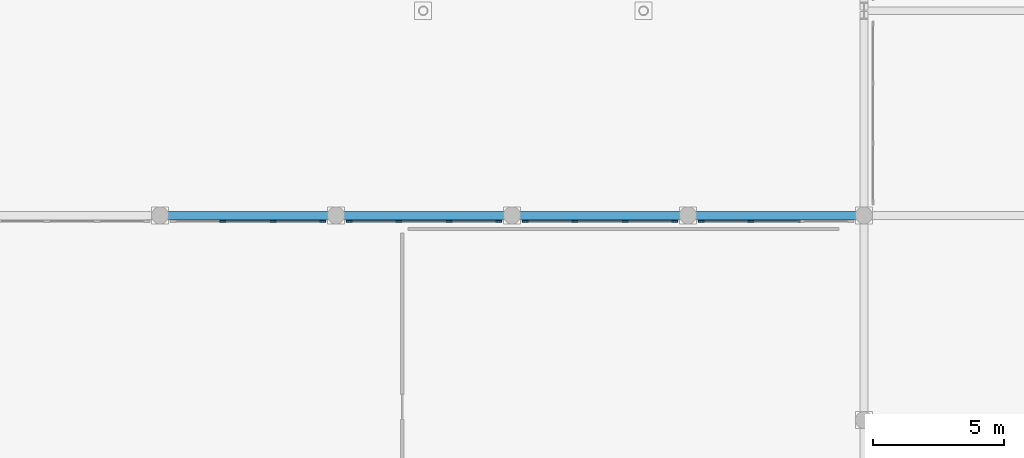
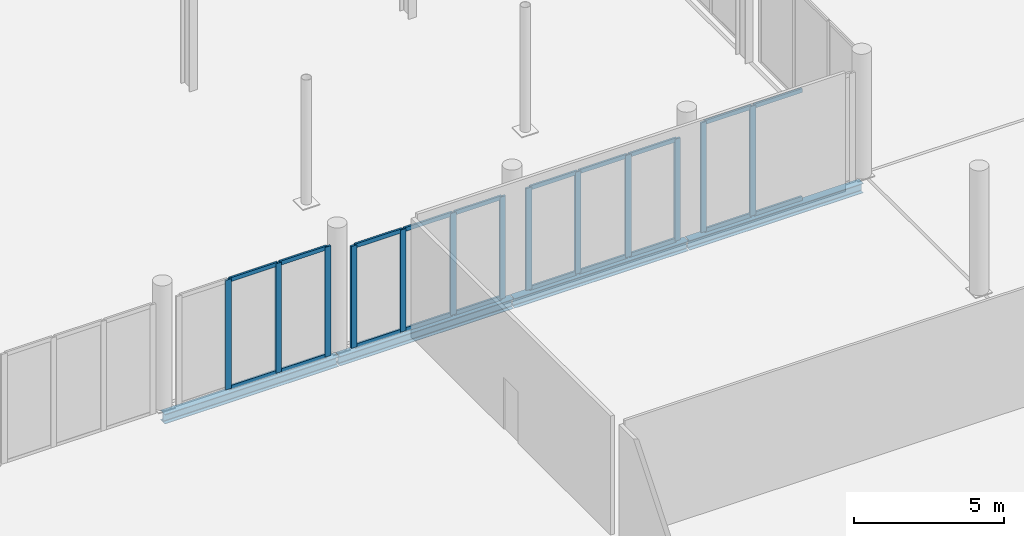
# One storey, part 25 of 80: 33 members, 4 beams, 4 elements without a shape of their own.
"""IFC4 building model written with IfcOpenShell, lengths in metres."""

from ifc_helpers import new_model, si_unit, direction, frame, origin, origin_2d, place, context, subcontext, project, spatial, rectangle, i_section, extrude, material, material_profile, profile_set, type_object, element, aggregate, save


model = new_model("IFC4")

# Units and contexts
model_context = context("Model", 3, precision=1e-05, world=origin(), true_north=direction((0.0, 1.0)))
body_context = subcontext(model_context, "Body", "Model", "MODEL_VIEW")
ifc_project = project(units=[si_unit("LENGTHUNIT", "METRE"), si_unit("AREAUNIT", "SQUARE_METRE"), si_unit("VOLUMEUNIT", "CUBIC_METRE"), si_unit("PLANEANGLEUNIT", "RADIAN"), si_unit("MASSUNIT", "GRAM", prefix="KILO")], contexts=[model_context])

# Site, building, storey
site_placement = place(None, origin())
site = spatial("IfcSite", under=ifc_project, at=site_placement, CompositionType="ELEMENT")
building_placement = place(site_placement, origin())
building = spatial("IfcBuilding", under=site, at=building_placement, Name="Nabrawat Pavilion Hospital", CompositionType="ELEMENT")
storey_placement = place(building_placement, origin())
storey = spatial("IfcBuildingStorey", under=building, at=storey_placement, Name="L00", CompositionType="ELEMENT", Elevation=0.0)

# Curtain wall, members
ifc_material_1 = material(Name="Anodised Aluminium", Category="aluminium")
curtain_wall_type = type_object("IfcCurtainWallType", Name="Main Hall Pavilion Unitised Curtain Wall", PredefinedType="USERDEFINED", material=ifc_material_1)
curtain_wall_1_placement = place(storey_placement, origin())
curtain_wall_1 = element("IfcCurtainWall", 1, at=curtain_wall_1_placement, inside=storey, type_object=curtain_wall_type, Name="L00 Main Hall Pavilion Unitised Curtain Wall 013", ObjectType="CURTAIN WALL", PredefinedType="USERDEFINED")
ifc_material_profile_1 = material_profile(ifc_material_1, rectangle(XDim=0.074951171875, YDim=0.219970703125, at=origin_2d()), Name="CWM 75x220")
ifc_profile_set_1 = profile_set([ifc_material_profile_1], Name="Anodised Aluminium")
member_type_1 = type_object("IfcMemberType", Name="Main Hall Pavilion Unitised Curtain Wall Mullion CWM 75x220", PredefinedType="MULLION", material=ifc_profile_set_1)
member_1_placement = place(storey_placement, frame((101.55908203125, 38.780029296875, 0.0), z_axis=(0.0, 0.0, 1.0), x_axis=(0.0, 1.0, 0.0)))
member_1 = element("IfcMember", 2, at=member_1_placement, type_object=member_type_1, Name="CW-MH-01 mullion 2", PredefinedType="MULLION", context=body_context, shape_type="SweptSolid", body=[
    extrude(rectangle(XDim=0.074951171875, YDim=0.219970703125, at=origin_2d()), origin(), (0.0, 0.0, 1.0), 4.449951171875),
])
member_2_placement = place(storey_placement, frame((103.485107421875, 38.780029296875, 0.0), z_axis=(0.0, 0.0, 1.0), x_axis=(0.0, 1.0, 0.0)))
member_2 = element("IfcMember", 3, at=member_2_placement, type_object=member_type_1, Name="CW-MH-01 mullion 3", PredefinedType="MULLION", context=body_context, shape_type="SweptSolid", body=[
    extrude(rectangle(XDim=0.074951171875, YDim=0.219970703125, at=origin_2d()), origin(), (0.0, 0.0, 1.0), 4.449951171875),
])
member_3_placement = place(storey_placement, frame((105.37353515625, 38.780029296875, 0.0), z_axis=(0.0, 0.0, 1.0), x_axis=(0.0, 1.0, 0.0)))
member_3 = element("IfcMember", 4, at=member_3_placement, type_object=member_type_1, Name="CW-MH-01 mullion 4", PredefinedType="MULLION", context=body_context, shape_type="SweptSolid", body=[
    extrude(rectangle(XDim=0.074951171875, YDim=0.219970703125, at=origin_2d()), origin(), (0.0, 0.0, 1.0), 4.449951171875),
])

curtain_wall_2_placement = place(storey_placement, origin())
curtain_wall_2 = element("IfcCurtainWall", 5, at=curtain_wall_2_placement, inside=storey, type_object=curtain_wall_type, Name="L00 Main Hall Pavilion Unitised Curtain Wall 014", ObjectType="CURTAIN WALL", PredefinedType="USERDEFINED")
member_4_placement = place(storey_placement, frame((106.37841796875, 38.780029296875, 0.0), z_axis=(0.0, 0.0, 1.0), x_axis=(0.0, 1.0, 0.0)))
member_4 = element("IfcMember", 6, at=member_4_placement, type_object=member_type_1, Name="CW-MH-01 mullion 1", PredefinedType="MULLION", context=body_context, shape_type="SweptSolid", body=[
    extrude(rectangle(XDim=0.074951171875, YDim=0.219970703125, at=origin_2d()), origin(), (0.0, 0.0, 1.0), 4.139892578125),
])
member_5_placement = place(storey_placement, frame((108.26708984375, 38.780029296875, 0.0), z_axis=(0.0, 0.0, 1.0), x_axis=(0.0, 1.0, 0.0)))
member_5 = element("IfcMember", 7, at=member_5_placement, type_object=member_type_1, Name="CW-MH-01 mullion 2", PredefinedType="MULLION", context=body_context, shape_type="SweptSolid", body=[
    extrude(rectangle(XDim=0.074951171875, YDim=0.219970703125, at=origin_2d()), origin(), (0.0, 0.0, 1.0), 4.139892578125),
])
member_6_placement = place(storey_placement, frame((110.193115234375, 38.780029296875, 0.0), z_axis=(0.0, 0.0, 1.0), x_axis=(0.0, 1.0, 0.0)))
member_6 = element("IfcMember", 8, at=member_6_placement, type_object=member_type_1, Name="CW-MH-01 mullion 3", PredefinedType="MULLION", context=body_context, shape_type="SweptSolid", body=[
    extrude(rectangle(XDim=0.074951171875, YDim=0.219970703125, at=origin_2d()), origin(), (0.0, 0.0, 1.0), 4.139892578125),
])
member_7_placement = place(storey_placement, frame((112.08154296875, 38.780029296875, 0.0), z_axis=(0.0, 0.0, 1.0), x_axis=(0.0, 1.0, 0.0)))
member_7 = element("IfcMember", 9, at=member_7_placement, type_object=member_type_1, Name="CW-MH-01 mullion 4", PredefinedType="MULLION", context=body_context, shape_type="SweptSolid", body=[
    extrude(rectangle(XDim=0.074951171875, YDim=0.219970703125, at=origin_2d()), origin(), (0.0, 0.0, 1.0), 4.139892578125),
])

curtain_wall_3_placement = place(storey_placement, origin())
curtain_wall_3 = element("IfcCurtainWall", 10, at=curtain_wall_3_placement, inside=storey, type_object=curtain_wall_type, Name="L00 Main Hall Pavilion Unitised Curtain Wall 015", ObjectType="CURTAIN WALL", PredefinedType="USERDEFINED")
member_8_placement = place(storey_placement, frame((113.08642578125, 38.780029296875, 0.0), z_axis=(0.0, 0.0, 1.0), x_axis=(0.0, 1.0, 0.0)))
member_8 = element("IfcMember", 11, at=member_8_placement, type_object=member_type_1, Name="CW-MH-01 mullion 1", PredefinedType="MULLION", context=body_context, shape_type="SweptSolid", body=[
    extrude(rectangle(XDim=0.074951171875, YDim=0.219970703125, at=origin_2d()), origin(), (0.0, 0.0, 1.0), 4.139892578125),
])
member_9_placement = place(storey_placement, frame((114.97509765625, 38.780029296875, 0.0), z_axis=(0.0, 0.0, 1.0), x_axis=(0.0, 1.0, 0.0)))
member_9 = element("IfcMember", 12, at=member_9_placement, type_object=member_type_1, Name="CW-MH-01 mullion 2", PredefinedType="MULLION", context=body_context, shape_type="SweptSolid", body=[
    extrude(rectangle(XDim=0.074951171875, YDim=0.219970703125, at=origin_2d()), origin(), (0.0, 0.0, 1.0), 4.139892578125),
])
member_10_placement = place(storey_placement, frame((116.90087890625, 38.780029296875, 0.0), z_axis=(0.0, 0.0, 1.0), x_axis=(0.0, 1.0, 0.0)))
member_10 = element("IfcMember", 13, at=member_10_placement, type_object=member_type_1, Name="CW-MH-01 mullion 3", PredefinedType="MULLION", context=body_context, shape_type="SweptSolid", body=[
    extrude(rectangle(XDim=0.074951171875, YDim=0.219970703125, at=origin_2d()), origin(), (0.0, 0.0, 1.0), 4.139892578125),
])
member_11_placement = place(storey_placement, frame((118.78955078125, 38.780029296875, 0.0), z_axis=(0.0, 0.0, 1.0), x_axis=(0.0, 1.0, 0.0)))
member_11 = element("IfcMember", 14, at=member_11_placement, type_object=member_type_1, Name="CW-MH-01 mullion 4", PredefinedType="MULLION", context=body_context, shape_type="SweptSolid", body=[
    extrude(rectangle(XDim=0.074951171875, YDim=0.219970703125, at=origin_2d()), origin(), (0.0, 0.0, 1.0), 4.139892578125),
])

curtain_wall_4_placement = place(storey_placement, origin())
curtain_wall_4 = element("IfcCurtainWall", 15, at=curtain_wall_4_placement, inside=storey, type_object=curtain_wall_type, Name="L00 Main Hall Pavilion Unitised Curtain Wall 016", ObjectType="CURTAIN WALL", PredefinedType="USERDEFINED")
member_12_placement = place(storey_placement, frame((119.79443359375, 38.780029296875, 0.0), z_axis=(0.0, 0.0, 1.0), x_axis=(0.0, 1.0, 0.0)))
member_12 = element("IfcMember", 16, at=member_12_placement, type_object=member_type_1, Name="CW-MH-01 mullion 1", PredefinedType="MULLION", context=body_context, shape_type="SweptSolid", body=[
    extrude(rectangle(XDim=0.074951171875, YDim=0.219970703125, at=origin_2d()), origin(), (0.0, 0.0, 1.0), 4.449951171875),
])
member_13_placement = place(storey_placement, frame((121.68310546875, 38.780029296875, 0.0), z_axis=(0.0, 0.0, 1.0), x_axis=(0.0, 1.0, 0.0)))
member_13 = element("IfcMember", 17, at=member_13_placement, type_object=member_type_1, Name="CW-MH-01 mullion 2", PredefinedType="MULLION", context=body_context, shape_type="SweptSolid", body=[
    extrude(rectangle(XDim=0.074951171875, YDim=0.219970703125, at=origin_2d()), origin(), (0.0, 0.0, 1.0), 4.449951171875),
])

# Member
ifc_material_profile_2 = material_profile(ifc_material_1, rectangle(XDim=0.074951171875, YDim=0.1650390625, at=origin_2d()), Name="CWT 75x165")
ifc_profile_set_2 = profile_set([ifc_material_profile_2], Name="Anodised Aluminium")
member_type_2 = type_object("IfcMemberType", Name="Main Hall Pavilion Unitised Curtain Wall Transom CWT 75x165", PredefinedType="USERDEFINED", material=ifc_profile_set_2)
member_14_placement = place(storey_placement, frame((101.596435546875, 38.780029296875, 0.03759765625), z_axis=(1.0, 0.0, 0.0), x_axis=(0.0, 1.0, 0.0)))
member_14 = element("IfcMember", 18, at=member_14_placement, type_object=member_type_2, Name="CW-MH-01 transom 2.1", ObjectType="TRANSOM", PredefinedType="USERDEFINED", context=body_context, shape_type="SweptSolid", body=[
    extrude(rectangle(XDim=0.074951171875, YDim=0.1650390625, at=origin_2d()), origin(), (0.0, 0.0, 1.0), 1.85107421875),
])

member_15_placement = place(storey_placement, frame((101.596435546875, 38.780029296875, 4.41259765625), z_axis=(1.0, 0.0, 0.0), x_axis=(0.0, 1.0, 0.0)))
member_15 = element("IfcMember", 19, at=member_15_placement, type_object=member_type_2, Name="CW-MH-01 transom 2.2", ObjectType="TRANSOM", PredefinedType="USERDEFINED", context=body_context, shape_type="SweptSolid", body=[
    extrude(rectangle(XDim=0.074951171875, YDim=0.1650390625, at=origin_2d()), origin(), (0.0, 0.0, 1.0), 1.85107421875),
])

member_16_placement = place(storey_placement, frame((103.5224609375, 38.780029296875, 0.03759765625), z_axis=(1.0, 0.0, 0.0), x_axis=(0.0, 1.0, 0.0)))
member_16 = element("IfcMember", 20, at=member_16_placement, type_object=member_type_2, Name="CW-MH-01 transom 3.1", ObjectType="TRANSOM", PredefinedType="USERDEFINED", context=body_context, shape_type="SweptSolid", body=[
    extrude(rectangle(XDim=0.074951171875, YDim=0.1650390625, at=origin_2d()), origin(), (0.0, 0.0, 1.0), 1.8134765625),
])

member_17_placement = place(storey_placement, frame((103.5224609375, 38.780029296875, 4.41259765625), z_axis=(1.0, 0.0, 0.0), x_axis=(0.0, 1.0, 0.0)))
member_17 = element("IfcMember", 21, at=member_17_placement, type_object=member_type_2, Name="CW-MH-01 transom 3.2", ObjectType="TRANSOM", PredefinedType="USERDEFINED", context=body_context, shape_type="SweptSolid", body=[
    extrude(rectangle(XDim=0.074951171875, YDim=0.1650390625, at=origin_2d()), origin(), (0.0, 0.0, 1.0), 1.8134765625),
])

aggregate(curtain_wall_1, [member_1, member_2, member_3, member_14, member_15, member_16, member_17])

member_18_placement = place(storey_placement, frame((106.416015625, 38.780029296875, 0.03759765625), z_axis=(1.0, 0.0, 0.0), x_axis=(0.0, 1.0, 0.0)))
member_18 = element("IfcMember", 22, at=member_18_placement, type_object=member_type_2, Name="CW-MH-01 transom 1.1", ObjectType="TRANSOM", PredefinedType="USERDEFINED", context=body_context, shape_type="SweptSolid", body=[
    extrude(rectangle(XDim=0.074951171875, YDim=0.1650390625, at=origin_2d()), origin(), (0.0, 0.0, 1.0), 1.8134765625),
])

member_19_placement = place(storey_placement, frame((106.416015625, 38.780029296875, 4.1025390625), z_axis=(1.0, 0.0, 0.0), x_axis=(0.0, 1.0, 0.0)))
member_19 = element("IfcMember", 23, at=member_19_placement, type_object=member_type_2, Name="CW-MH-01 transom 1.2", ObjectType="TRANSOM", PredefinedType="USERDEFINED", context=body_context, shape_type="SweptSolid", body=[
    extrude(rectangle(XDim=0.074951171875, YDim=0.1650390625, at=origin_2d()), origin(), (0.0, 0.0, 1.0), 1.8134765625),
])

member_20_placement = place(storey_placement, frame((108.304443359375, 38.780029296875, 0.03759765625), z_axis=(1.0, 0.0, 0.0), x_axis=(0.0, 1.0, 0.0)))
member_20 = element("IfcMember", 24, at=member_20_placement, type_object=member_type_2, Name="CW-MH-01 transom 2.1", ObjectType="TRANSOM", PredefinedType="USERDEFINED", context=body_context, shape_type="SweptSolid", body=[
    extrude(rectangle(XDim=0.074951171875, YDim=0.1650390625, at=origin_2d()), origin(), (0.0, 0.0, 1.0), 1.85107421875),
])

member_21_placement = place(storey_placement, frame((108.304443359375, 38.780029296875, 4.1025390625), z_axis=(1.0, 0.0, 0.0), x_axis=(0.0, 1.0, 0.0)))
member_21 = element("IfcMember", 25, at=member_21_placement, type_object=member_type_2, Name="CW-MH-01 transom 2.2", ObjectType="TRANSOM", PredefinedType="USERDEFINED", context=body_context, shape_type="SweptSolid", body=[
    extrude(rectangle(XDim=0.074951171875, YDim=0.1650390625, at=origin_2d()), origin(), (0.0, 0.0, 1.0), 1.85107421875),
])

member_22_placement = place(storey_placement, frame((110.23046875, 38.780029296875, 0.03759765625), z_axis=(1.0, 0.0, 0.0), x_axis=(0.0, 1.0, 0.0)))
member_22 = element("IfcMember", 26, at=member_22_placement, type_object=member_type_2, Name="CW-MH-01 transom 3.1", ObjectType="TRANSOM", PredefinedType="USERDEFINED", context=body_context, shape_type="SweptSolid", body=[
    extrude(rectangle(XDim=0.074951171875, YDim=0.1650390625, at=origin_2d()), origin(), (0.0, 0.0, 1.0), 1.8134765625),
])

member_23_placement = place(storey_placement, frame((110.23046875, 38.780029296875, 4.1025390625), z_axis=(1.0, 0.0, 0.0), x_axis=(0.0, 1.0, 0.0)))
member_23 = element("IfcMember", 27, at=member_23_placement, type_object=member_type_2, Name="CW-MH-01 transom 3.2", ObjectType="TRANSOM", PredefinedType="USERDEFINED", context=body_context, shape_type="SweptSolid", body=[
    extrude(rectangle(XDim=0.074951171875, YDim=0.1650390625, at=origin_2d()), origin(), (0.0, 0.0, 1.0), 1.8134765625),
])

aggregate(curtain_wall_2, [member_4, member_5, member_6, member_7, member_18, member_19, member_20, member_21, member_22, member_23])

member_24_placement = place(storey_placement, frame((113.1240234375, 38.780029296875, 0.03759765625), z_axis=(1.0, 0.0, 0.0), x_axis=(0.0, 1.0, 0.0)))
member_24 = element("IfcMember", 28, at=member_24_placement, type_object=member_type_2, Name="CW-MH-01 transom 1.1", ObjectType="TRANSOM", PredefinedType="USERDEFINED", context=body_context, shape_type="SweptSolid", body=[
    extrude(rectangle(XDim=0.074951171875, YDim=0.1650390625, at=origin_2d()), origin(), (0.0, 0.0, 1.0), 1.8134765625),
])

member_25_placement = place(storey_placement, frame((113.1240234375, 38.780029296875, 4.1025390625), z_axis=(1.0, 0.0, 0.0), x_axis=(0.0, 1.0, 0.0)))
member_25 = element("IfcMember", 29, at=member_25_placement, type_object=member_type_2, Name="CW-MH-01 transom 1.2", ObjectType="TRANSOM", PredefinedType="USERDEFINED", context=body_context, shape_type="SweptSolid", body=[
    extrude(rectangle(XDim=0.074951171875, YDim=0.1650390625, at=origin_2d()), origin(), (0.0, 0.0, 1.0), 1.8134765625),
])

member_26_placement = place(storey_placement, frame((115.012451171875, 38.780029296875, 0.03759765625), z_axis=(1.0, 0.0, 0.0), x_axis=(0.0, 1.0, 0.0)))
member_26 = element("IfcMember", 30, at=member_26_placement, type_object=member_type_2, Name="CW-MH-01 transom 2.1", ObjectType="TRANSOM", PredefinedType="USERDEFINED", context=body_context, shape_type="SweptSolid", body=[
    extrude(rectangle(XDim=0.074951171875, YDim=0.1650390625, at=origin_2d()), origin(), (0.0, 0.0, 1.0), 1.85107421875),
])

member_27_placement = place(storey_placement, frame((115.012451171875, 38.780029296875, 4.1025390625), z_axis=(1.0, 0.0, 0.0), x_axis=(0.0, 1.0, 0.0)))
member_27 = element("IfcMember", 31, at=member_27_placement, type_object=member_type_2, Name="CW-MH-01 transom 2.2", ObjectType="TRANSOM", PredefinedType="USERDEFINED", context=body_context, shape_type="SweptSolid", body=[
    extrude(rectangle(XDim=0.074951171875, YDim=0.1650390625, at=origin_2d()), origin(), (0.0, 0.0, 1.0), 1.85107421875),
])

member_28_placement = place(storey_placement, frame((116.9384765625, 38.780029296875, 0.03759765625), z_axis=(1.0, 0.0, 0.0), x_axis=(0.0, 1.0, 0.0)))
member_28 = element("IfcMember", 32, at=member_28_placement, type_object=member_type_2, Name="CW-MH-01 transom 3.1", ObjectType="TRANSOM", PredefinedType="USERDEFINED", context=body_context, shape_type="SweptSolid", body=[
    extrude(rectangle(XDim=0.074951171875, YDim=0.1650390625, at=origin_2d()), origin(), (0.0, 0.0, 1.0), 1.8134765625),
])

member_29_placement = place(storey_placement, frame((116.9384765625, 38.780029296875, 4.1025390625), z_axis=(1.0, 0.0, 0.0), x_axis=(0.0, 1.0, 0.0)))
member_29 = element("IfcMember", 33, at=member_29_placement, type_object=member_type_2, Name="CW-MH-01 transom 3.2", ObjectType="TRANSOM", PredefinedType="USERDEFINED", context=body_context, shape_type="SweptSolid", body=[
    extrude(rectangle(XDim=0.074951171875, YDim=0.1650390625, at=origin_2d()), origin(), (0.0, 0.0, 1.0), 1.8134765625),
])

aggregate(curtain_wall_3, [member_8, member_9, member_10, member_11, member_24, member_25, member_26, member_27, member_28, member_29])

member_30_placement = place(storey_placement, frame((119.83203125, 38.780029296875, 0.03759765625), z_axis=(1.0, 0.0, 0.0), x_axis=(0.0, 1.0, 0.0)))
member_30 = element("IfcMember", 34, at=member_30_placement, type_object=member_type_2, Name="CW-MH-01 transom 1.1", ObjectType="TRANSOM", PredefinedType="USERDEFINED", context=body_context, shape_type="SweptSolid", body=[
    extrude(rectangle(XDim=0.074951171875, YDim=0.1650390625, at=origin_2d()), origin(), (0.0, 0.0, 1.0), 1.8134765625),
])

member_31_placement = place(storey_placement, frame((119.83203125, 38.780029296875, 4.41259765625), z_axis=(1.0, 0.0, 0.0), x_axis=(0.0, 1.0, 0.0)))
member_31 = element("IfcMember", 35, at=member_31_placement, type_object=member_type_2, Name="CW-MH-01 transom 1.2", ObjectType="TRANSOM", PredefinedType="USERDEFINED", context=body_context, shape_type="SweptSolid", body=[
    extrude(rectangle(XDim=0.074951171875, YDim=0.1650390625, at=origin_2d()), origin(), (0.0, 0.0, 1.0), 1.8134765625),
])

member_32_placement = place(storey_placement, frame((121.720458984375, 38.780029296875, 0.03759765625), z_axis=(1.0, 0.0, 0.0), x_axis=(0.0, 1.0, 0.0)))
member_32 = element("IfcMember", 36, at=member_32_placement, type_object=member_type_2, Name="CW-MH-01 transom 2.1", ObjectType="TRANSOM", PredefinedType="USERDEFINED", context=body_context, shape_type="SweptSolid", body=[
    extrude(rectangle(XDim=0.074951171875, YDim=0.1650390625, at=origin_2d()), origin(), (0.0, 0.0, 1.0), 1.85107421875),
])

member_33_placement = place(storey_placement, frame((121.720458984375, 38.780029296875, 4.41259765625), z_axis=(1.0, 0.0, 0.0), x_axis=(0.0, 1.0, 0.0)))
member_33 = element("IfcMember", 37, at=member_33_placement, type_object=member_type_2, Name="CW-MH-01 transom 2.2", ObjectType="TRANSOM", PredefinedType="USERDEFINED", context=body_context, shape_type="SweptSolid", body=[
    extrude(rectangle(XDim=0.074951171875, YDim=0.1650390625, at=origin_2d()), origin(), (0.0, 0.0, 1.0), 1.85107421875),
])

aggregate(curtain_wall_4, [member_12, member_13, member_30, member_31, member_32, member_33])

# Beams
ifc_material_2 = material(Name="Steel S355", Category="steel")
ifc_material_profile_3 = material_profile(ifc_material_2, i_section(OverallWidth=0.300048828125, OverallDepth=0.389892578125, WebThickness=0.010986328125, FlangeThickness=0.01904296875, FilletRadius=0.027099609375, at=origin_2d()), Name="HEA 400")
ifc_profile_set_3 = profile_set([ifc_material_profile_3], Name="Steel S355")
beam_type = type_object("IfcBeamType", Name="Perimeter Moment Spandrel Beam HEA 400", PredefinedType="SPANDREL", material=ifc_profile_set_3)
for number, where, z_axis, x_axis, name in (
    (38, (99.18798828125, 39.0, -0.455078125), (1.0, 0.0, 0.0), (0.0, 1.0, 0.0), "L00 Primary X Girder 76"),
    (39, (105.89599609375, 39.0, -0.455078125), (1.0, 0.0, 0.0), (0.0, 1.0, 0.0), "L00 Primary X Girder 77"),
    (40, (112.60400390625, 39.0, -0.455078125), (1.0, 0.0, 0.0), (0.0, 1.0, 0.0), "L00 Primary X Girder 78"),
    (41, (119.31201171875, 39.0, -0.455078125), (1.0, 0.0, 0.0), (0.0, 1.0, 0.0), "L00 Primary X Girder 79"),
):
    element("IfcBeam", number, at=place(storey_placement, frame(where, z_axis=z_axis, x_axis=x_axis)), inside=storey, type_object=beam_type, Name=name, PredefinedType="SPANDREL", context=body_context, shape_type="SweptSolid", body=[
        extrude(i_section(OverallWidth=0.300048828125, OverallDepth=0.389892578125, WebThickness=0.010986328125, FlangeThickness=0.01904296875, FilletRadius=0.027099609375, at=origin_2d()), origin(), (0.0, 0.0, 1.0), 6.66796875),
    ])

save(model, "model.ifc")
